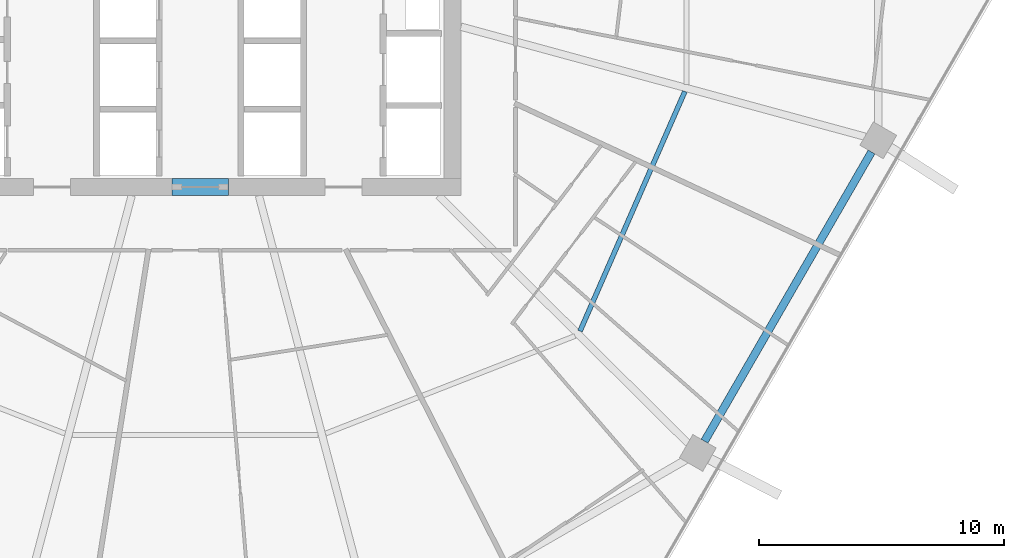
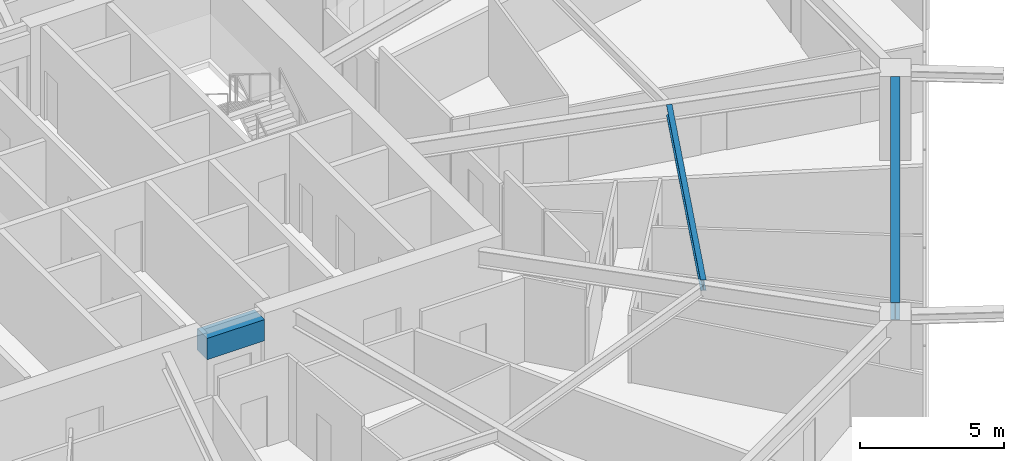
# One storey, part 10 of 33: 3 beams.
"""IFC4 building model written with IfcOpenShell, lengths in metres."""

from ifc_helpers import new_model, si_unit, direction, frame, origin, origin_2d, place, context, subcontext, project, spatial, rectangle, i_section, extrude, material, material_profile, profile_set, type_object, element, save


model = new_model("IFC4")

# Units and contexts
model_context = context("Model", 3, precision=1e-05, world=origin(), true_north=direction((0.0, 1.0)))
body_context = subcontext(model_context, "Body", "Model", "MODEL_VIEW")
ifc_project = project(units=[si_unit("LENGTHUNIT", "METRE"), si_unit("AREAUNIT", "SQUARE_METRE"), si_unit("VOLUMEUNIT", "CUBIC_METRE"), si_unit("PLANEANGLEUNIT", "RADIAN"), si_unit("MASSUNIT", "GRAM", prefix="KILO")], contexts=[model_context])

# Site, building, storey
site_placement = place(None, origin())
site = spatial("IfcSite", under=ifc_project, at=site_placement, CompositionType="ELEMENT")
building_placement = place(site_placement, origin())
building = spatial("IfcBuilding", under=site, at=building_placement, Name="Zuhravey Tower", CompositionType="ELEMENT")
storey_placement = place(building_placement, frame((0.0, 0.0, 126.60009765625)))
storey = spatial("IfcBuildingStorey", under=building, at=storey_placement, Name="L31", CompositionType="ELEMENT", Elevation=126.60009765625)

# Beams
ifc_material_1 = material(Name="Concrete C60/75", Category="concrete")
ifc_material_profile_1 = material_profile(ifc_material_1, rectangle(XDim=0.699951171875, YDim=0.89990234375, at=origin_2d()), Name="RC-700x900")
ifc_profile_set_1 = profile_set([ifc_material_profile_1], Name="Concrete C60/75")
beam_type_1 = type_object("IfcBeamType", Name="Core Coupling Beam RC700x900", PredefinedType="LINTEL", material=ifc_profile_set_1)
beam_1_placement = place(storey_placement, frame((35.052001953125, 22.5, 3.099853515625), z_axis=(1.0, 0.0, 0.0), x_axis=(0.0, 1.0, 0.0)))
element("IfcBeam", 1, at=beam_1_placement, inside=storey, type_object=beam_type_1, Name="L31 CB1 BM-L31-CB-S", PredefinedType="LINTEL", context=body_context, shape_type="SweptSolid", body=[
    extrude(rectangle(XDim=0.699951171875, YDim=0.89990234375, at=origin_2d()), origin(), (0.0, 0.0, 1.0), 2.2958984375),
])
ifc_material_2 = material(Name="Steel SM355", Category="steel")
ifc_material_profile_2 = material_profile(ifc_material_2, i_section(OverallWidth=0.320068359375, OverallDepth=0.75, WebThickness=0.013916015625, FlangeThickness=0.02490234375, at=origin_2d()), Name="H-750x320x14x25")
ifc_profile_set_2 = profile_set([ifc_material_profile_2], Name="Steel SM355")
beam_type_2 = type_object("IfcBeamType", Name="Perimeter Ring Beam H750x320", PredefinedType="BEAM", material=ifc_profile_set_2)
beam_2_placement = place(storey_placement, frame((56.79541015625, 12.1220703125, 3.1748046875), z_axis=(0.500008177929, 0.866020682204, 0.0), x_axis=(-0.866020682204, 0.500008177929, 0.0)))
element("IfcBeam", 2, at=beam_2_placement, inside=storey, type_object=beam_type_2, Name="L31 PB1 BM-L31-PB-11", PredefinedType="BEAM", context=body_context, shape_type="SweptSolid", body=[
    extrude(i_section(OverallWidth=0.320068359375, OverallDepth=0.75, WebThickness=0.013916015625, FlangeThickness=0.02490234375, at=origin_2d()), origin(), (0.0, 0.0, 1.0), 13.634033203125),
])
ifc_material_profile_3 = material_profile(ifc_material_2, i_section(OverallWidth=0.199951171875, OverallDepth=0.449951171875, WebThickness=0.009033203125, FlangeThickness=0.013916015625, at=origin_2d()), Name="H-450x200x9x14")
ifc_profile_set_3 = profile_set([ifc_material_profile_3], Name="Steel SM355")
beam_type_3 = type_object("IfcBeamType", Name="Secondary Floor Joist H450x200", PredefinedType="JOIST", material=ifc_profile_set_3)
beam_3_placement = place(storey_placement, frame((51.71044921875, 16.615966796875, 3.324951171875), z_axis=(0.400786454617, 0.916171500209, 0.0), x_axis=(-0.916171500209, 0.400786454617, 0.0)))
element("IfcBeam", 3, at=beam_3_placement, inside=storey, type_object=beam_type_3, Name="L31 SJ1 BM-L31-SJ-11-1", PredefinedType="JOIST", context=body_context, shape_type="SweptSolid", body=[
    extrude(i_section(OverallWidth=0.199951171875, OverallDepth=0.449951171875, WebThickness=0.009033203125, FlangeThickness=0.013916015625, at=origin_2d()), origin(), (0.0, 0.0, 1.0), 10.6796875),
])

save(model, "model.ifc")
